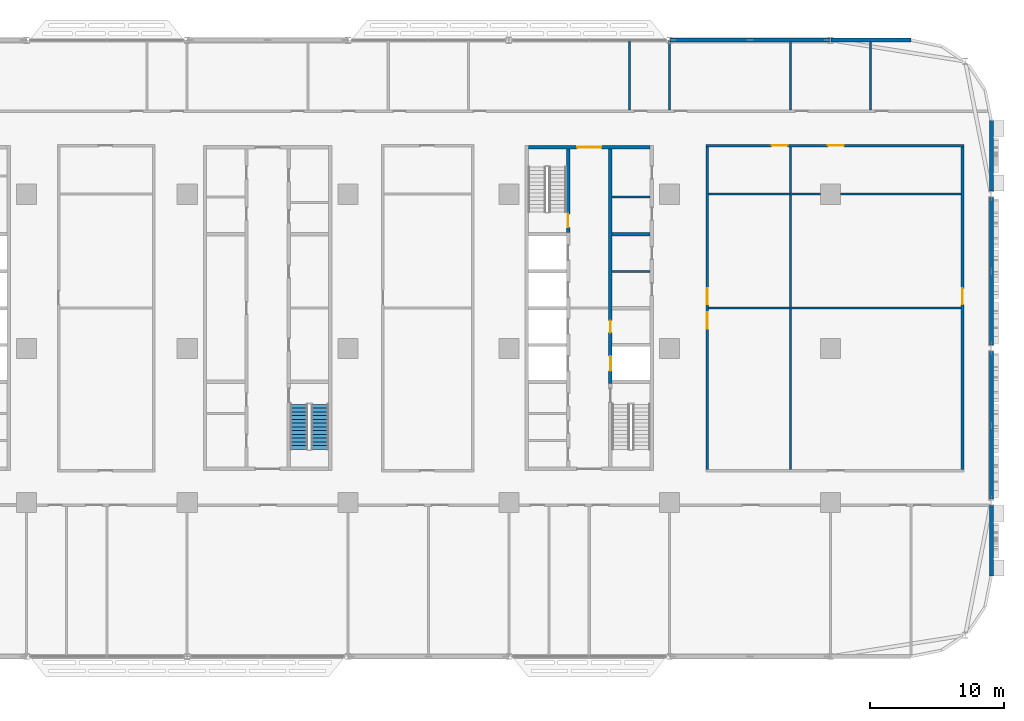
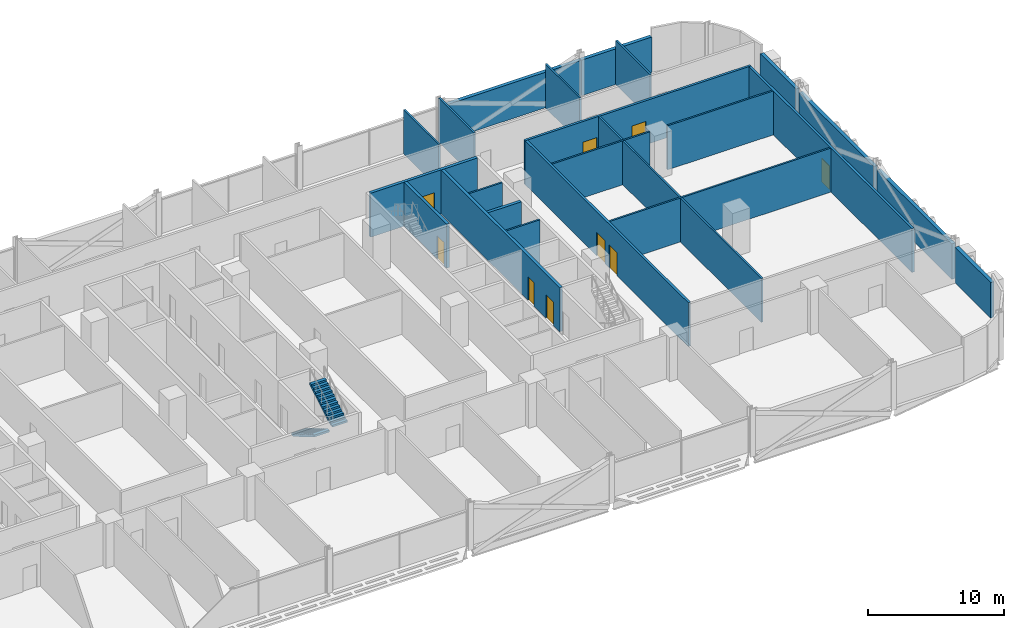
# One storey, part 17 of 29: 23 walls, 9 doors, 2 stair flights, 9 openings, 1 element without a shape of its own.
"""IFC4 building model written with IfcOpenShell, lengths in metres."""

from ifc_helpers import new_model, si_unit, direction, frame, frame_2d, origin, place, context, subcontext, project, spatial, polyline, rectangle, outline, extrude, material, layer, layer_set, type_object, element, fill, aggregate, save


model = new_model("IFC4")

# Units and contexts
model_context = context("Model", 3, precision=1e-05, world=origin(), true_north=direction((0.0, 1.0)))
body_context = subcontext(model_context, "Body", "Model", "MODEL_VIEW")
ifc_project = project(units=[si_unit("LENGTHUNIT", "METRE"), si_unit("AREAUNIT", "SQUARE_METRE"), si_unit("VOLUMEUNIT", "CUBIC_METRE"), si_unit("PLANEANGLEUNIT", "RADIAN"), si_unit("MASSUNIT", "GRAM", prefix="KILO")], contexts=[model_context])

# Site, building, storey
site_placement = place(None, origin())
site = spatial("IfcSite", under=ifc_project, at=site_placement, CompositionType="ELEMENT")
building_placement = place(site_placement, origin())
building = spatial("IfcBuilding", under=site, at=building_placement, Name="Mahtab Terrace Research Tower", CompositionType="ELEMENT")
storey_placement = place(building_placement, frame((0.0, 0.0, 54.60009765625)))
storey = spatial("IfcBuildingStorey", under=building, at=storey_placement, Name="L12", CompositionType="ELEMENT", Elevation=54.60009765625)

# Walls
ifc_material_1 = material(Name="Gypsum board partition")
ifc_layer_1 = layer(ifc_material_1, 0.14990234375)
ifc_layer_set_1 = layer_set([ifc_layer_1], Name="Core partition 150")
wall_type_1 = type_object("IfcWallType", Name="Core partition 150", PredefinedType="PARTITIONING", material=ifc_layer_set_1)
for number, where, z_axis, x_axis, name in (
    (1, (25.699951171875, 5.75, 0.0), (0.0, 0.0, 1.0), (1.0, 0.0, 0.0), "Core wall C pEL275"),
    (2, (25.699951171875, 11.27490234375, 0.0), (0.0, 0.0, 1.0), (1.0, 0.0, 0.0), "Core wall C pEN828"),
):
    element("IfcWall", number, at=place(storey_placement, frame(where, z_axis=z_axis, x_axis=x_axis)), inside=storey, type_object=wall_type_1, Name=name, PredefinedType="PARTITIONING", context=body_context, shape_type="SweptSolid", body=[
        extrude(rectangle(XDim=2.85009765625, YDim=0.14990234375, at=frame_2d((1.425048828125, 0.0))), origin(), (0.0, 0.0, 1.0), 3.9599609375),
    ])

# Wall, opening, door
ifc_material_2 = material(Name="Concrete C70/85", Category="concrete")
ifc_layer_2 = layer(ifc_material_2, 0.25)
ifc_layer_set_2 = layer_set([ifc_layer_2], Name="Core wall 250")
wall_type_2 = type_object("IfcWallType", Name="Core wall 250", PredefinedType="SOLIDWALL", material=ifc_layer_set_2)
wall_1_placement = place(storey_placement, frame((19.449951171875, 15.0, 0.0), z_axis=(0.0, 0.0, 1.0), x_axis=(1.0, 0.0, 0.0)))
wall_1 = element("IfcWall", 3, at=wall_1_placement, inside=storey, type_object=wall_type_2, Name="Core wall C endN", PredefinedType="SOLIDWALL", context=body_context, shape_type="SweptSolid", body=[
    extrude(rectangle(XDim=9.10009765625, YDim=0.25, at=frame_2d((4.550048828125, 0.0))), origin(), (0.0, 0.0, 1.0), 3.9599609375),
])
opening_1_placement = place(wall_1_placement, frame((3.64990234375, 0.0, 0.0)))
opening_1 = element("IfcOpeningElement", 4, at=opening_1_placement, cuts=wall_1, Name="Opening C-N1", PredefinedType="OPENING", context=body_context, shape_type="SweptSolid", body=[
    extrude(rectangle(XDim=1.800048828125, YDim=2.10009765625, at=frame_2d((0.89990234375, 1.050048828125))), frame((0.0, 0.135009765625, 0.0), z_axis=(0.0, -1.0, 0.0), x_axis=(1.0, 0.0, 0.0)), (0.0, 0.0, 1.0), 0.27001953125),
])
ifc_material_3 = material(Name="Steel fire door", Category="steel")
door_type_1 = type_object("IfcDoorType", Name="Lobby double door 1800x2100 1 HR", OperationType="DOUBLE_DOOR_SINGLE_SWING", PredefinedType="DOOR", material=ifc_material_3)
door_1_placement = place(opening_1_placement, origin())
door_1 = element("IfcDoor", 5, at=door_1_placement, inside=storey, type_object=door_type_1, Name="Core entrance door C N", OperationType="DOUBLE_DOOR_SINGLE_SWING", OverallHeight=2.10009765625, OverallWidth=1.800048828125, PredefinedType="DOOR", context=body_context, shape_type="SweptSolid", body=[
    extrude(rectangle(XDim=1.800048828125, YDim=2.10009765625, at=frame_2d((0.89990234375, 1.050048828125))), frame((0.0, 0.02490234375, 0.0), z_axis=(0.0, -1.0, 0.0), x_axis=(1.0, 0.0, 0.0)), (0.0, 0.0, 1.0), 0.050048828125),
])
fill(opening_1, door_1)

wall_2_placement = place(storey_placement, frame((22.425048828125, 14.875, 0.0), z_axis=(0.0, 0.0, 1.0), x_axis=(0.0, -1.0, 0.0)))
wall_2 = element("IfcWall", 6, at=wall_2_placement, inside=storey, type_object=wall_type_2, Name="Core wall C innerWN", PredefinedType="SOLIDWALL", context=body_context, shape_type="SweptSolid", body=[
    extrude(rectangle(XDim=6.25, YDim=0.25, at=frame_2d((3.125, 0.0))), origin(), (0.0, 0.0, 1.0), 3.9599609375),
])
opening_2_placement = place(wall_2_placement, frame((4.85009765625, 0.0, 0.0)))
opening_2 = element("IfcOpeningElement", 7, at=opening_2_placement, cuts=wall_2, Name="Opening C-ST3", PredefinedType="OPENING", context=body_context, shape_type="SweptSolid", body=[
    extrude(rectangle(XDim=1.0, YDim=2.10009765625, at=frame_2d((0.5, 1.050048828125))), frame((0.0, 0.135009765625, 0.0), z_axis=(0.0, -1.0, 0.0), x_axis=(1.0, 0.0, 0.0)), (0.0, 0.0, 1.0), 0.27001953125),
])
door_type_2 = type_object("IfcDoorType", Name="Stair door 1000x2100 1.5 HR", OperationType="NOTDEFINED", PredefinedType="DOOR", material=ifc_material_3)
door_2_placement = place(opening_2_placement, origin())
door_2 = element("IfcDoor", 8, at=door_2_placement, inside=storey, type_object=door_type_2, Name="Stair door ST3 L12", OperationType="SINGLE_SWING_LEFT", OverallHeight=2.10009765625, OverallWidth=1.0, PredefinedType="DOOR", context=body_context, shape_type="SweptSolid", body=[
    extrude(rectangle(XDim=1.0, YDim=2.10009765625, at=frame_2d((0.5, 1.050048828125))), frame((0.0, 0.02490234375, 0.0), z_axis=(0.0, -1.0, 0.0), x_axis=(1.0, 0.0, 0.0)), (0.0, 0.0, 1.0), 0.050048828125),
])
fill(opening_2, door_2)

# Wall, openings, doors
wall_3_placement = place(storey_placement, frame((25.574951171875, 14.875, 0.0), z_axis=(0.0, 0.0, 1.0), x_axis=(0.0, -1.0, 0.0)))
wall_3 = element("IfcWall", 9, at=wall_3_placement, inside=storey, type_object=wall_type_2, Name="Core wall C innerELN", PredefinedType="SOLIDWALL", context=body_context, shape_type="SweptSolid", body=[
    extrude(rectangle(XDim=17.5, YDim=0.25, at=frame_2d((8.75, 0.0))), origin(), (0.0, 0.0, 1.0), 3.9599609375),
])
opening_3_placement = place(wall_3_placement, frame((15.449951171875, 0.0, 0.0)))
opening_3 = element("IfcOpeningElement", 10, at=opening_3_placement, cuts=wall_3, Name="Opening LD21-L12", PredefinedType="OPENING", context=body_context, shape_type="SweptSolid", body=[
    extrude(rectangle(XDim=1.10009765625, YDim=2.10009765625, at=frame_2d((0.550048828125, 1.050048828125))), frame((0.0, 0.135009765625, 0.0), z_axis=(0.0, -1.0, 0.0), x_axis=(1.0, 0.0, 0.0)), (0.0, 0.0, 1.0), 0.27001953125),
])
opening_4_placement = place(wall_3_placement, frame((12.800048828125, 0.0, 0.0)))
opening_4 = element("IfcOpeningElement", 11, at=opening_4_placement, cuts=wall_3, Name="Opening C-R1", PredefinedType="OPENING", context=body_context, shape_type="SweptSolid", body=[
    extrude(rectangle(XDim=0.89990234375, YDim=2.10009765625, at=frame_2d((0.449951171875, 1.050048828125))), frame((0.0, 0.135009765625, 0.0), z_axis=(0.0, -1.0, 0.0), x_axis=(1.0, 0.0, 0.0)), (0.0, 0.0, 1.0), 0.27001953125),
])
ifc_material_4 = material(Name="Stainless steel AISI 304", Category="steel")
door_type_3 = type_object("IfcDoorType", Name="Landing door 1100x2100", OperationType="DOUBLE_DOOR_SLIDING", PredefinedType="DOOR", material=ifc_material_4)
door_3_placement = place(opening_3_placement, origin())
door_3 = element("IfcDoor", 12, at=door_3_placement, inside=storey, type_object=door_type_3, Name="Landing door SV3 L12", OperationType="DOUBLE_DOOR_SLIDING", OverallHeight=2.10009765625, OverallWidth=1.10009765625, PredefinedType="DOOR", context=body_context, shape_type="SweptSolid", body=[
    extrude(rectangle(XDim=1.10009765625, YDim=2.10009765625, at=frame_2d((0.550048828125, 1.050048828125))), frame((0.0, 0.02490234375, 0.0), z_axis=(0.0, -1.0, 0.0), x_axis=(1.0, 0.0, 0.0)), (0.0, 0.0, 1.0), 0.050048828125),
])
fill(opening_3, door_3)
door_type_4 = type_object("IfcDoorType", Name="Room door 900x2100 1 HR", OperationType="NOTDEFINED", PredefinedType="DOOR", material=ifc_material_3)
door_4_placement = place(opening_4_placement, origin())
door_4 = element("IfcDoor", 13, at=door_4_placement, inside=storey, type_object=door_type_4, Name="Plant room door", OperationType="SINGLE_SWING_LEFT", OverallHeight=2.10009765625, OverallWidth=0.89990234375, PredefinedType="DOOR", context=body_context, shape_type="SweptSolid", body=[
    extrude(rectangle(XDim=0.89990234375, YDim=2.10009765625, at=frame_2d((0.449951171875, 1.050048828125))), frame((0.0, 0.02490234375, 0.0), z_axis=(0.0, -1.0, 0.0), x_axis=(1.0, 0.0, 0.0)), (0.0, 0.0, 1.0), 0.050048828125),
])
fill(opening_4, door_4)

# Walls
wall_4_placement = place(storey_placement, frame((25.699951171875, 8.5, 0.0), z_axis=(0.0, 0.0, 1.0), x_axis=(1.0, 0.0, 0.0)))
element("IfcWall", 14, at=wall_4_placement, inside=storey, type_object=wall_type_2, Name="Core wall C divE4", PredefinedType="SOLIDWALL", context=body_context, shape_type="SweptSolid", body=[
    extrude(rectangle(XDim=2.85009765625, YDim=0.25, at=frame_2d((1.425048828125, 0.0))), origin(), (0.0, 0.0, 1.0), 3.9599609375),
])
ifc_material_5 = material(Name="Black aluminium cladding panel", Category="aluminium")
ifc_layer_3 = layer(ifc_material_5, 0.300048828125)
ifc_layer_set_3 = layer_set([ifc_layer_3], Name="Opaque facade wall 300")
wall_type_3 = type_object("IfcWallType", Name="Opaque facade wall 300", PredefinedType="NOTDEFINED", material=ifc_layer_set_3)
wall_5_placement = place(storey_placement, frame((48.0, 23.0, 0.0), z_axis=(0.0, 0.0, 1.0), x_axis=(-1.0, 0.0, 0.0)))
element("IfcWall", 15, at=wall_5_placement, inside=storey, type_object=wall_type_3, Name="Opaque facade wall L12 N3", PredefinedType="NOTDEFINED", context=body_context, shape_type="SweptSolid", body=[
    extrude(rectangle(XDim=5.97607421875, YDim=0.300048828125, at=frame_2d((2.988037109375, 0.0))), origin(), (0.0, 0.0, 1.0), 3.202880859375),
])
wall_6_placement = place(storey_placement, frame((41.97607421875, 23.0, 0.0), z_axis=(0.0, 0.0, 1.0), x_axis=(-1.0, 0.0, 0.0)))
element("IfcWall", 16, at=wall_6_placement, inside=storey, type_object=wall_type_3, Name="Opaque facade wall L12 N4", PredefinedType="NOTDEFINED", context=body_context, shape_type="SweptSolid", body=[
    extrude(rectangle(XDim=11.9521484375, YDim=0.300048828125, at=frame_2d((5.97607421875, 0.0))), origin(), (0.0, 0.0, 1.0), 3.202880859375),
])
wall_7_placement = place(storey_placement, frame((54.0, -17.0, 0.0), z_axis=(0.0, 0.0, 1.0), x_axis=(0.0, 1.0, 0.0)))
element("IfcWall", 17, at=wall_7_placement, inside=storey, type_object=wall_type_3, Name="Opaque facade wall L12 E35", PredefinedType="NOTDEFINED", context=body_context, shape_type="SweptSolid", body=[
    extrude(rectangle(XDim=5.261962890625, YDim=0.300048828125, at=frame_2d((2.630859375, 0.0))), origin(), (0.0, 0.0, 1.0), 3.202880859375),
])
for number, where, z_axis, x_axis, name in (
    (18, (54.0, -11.261962890625, 0.0), (0.0, 0.0, 1.0), (0.0, 1.0, 0.0), "Opaque facade wall L12 E36"),
    (19, (54.0, 0.238037109375, 0.0), (0.0, 0.0, 1.0), (0.0, 1.0, 0.0), "Opaque facade wall L12 E37"),
):
    element("IfcWall", number, at=place(storey_placement, frame(where, z_axis=z_axis, x_axis=x_axis)), inside=storey, type_object=wall_type_3, Name=name, PredefinedType="NOTDEFINED", context=body_context, shape_type="SweptSolid", body=[
        extrude(rectangle(XDim=11.02392578125, YDim=0.300048828125, at=frame_2d((5.511962890625, 0.0))), origin(), (0.0, 0.0, 1.0), 3.202880859375),
    ])
wall_8_placement = place(storey_placement, frame((54.0, 11.738037109375, 0.0), z_axis=(0.0, 0.0, 1.0), x_axis=(0.0, 1.0, 0.0)))
element("IfcWall", 20, at=wall_8_placement, inside=storey, type_object=wall_type_3, Name="Opaque facade wall L12 E38", PredefinedType="NOTDEFINED", context=body_context, shape_type="SweptSolid", body=[
    extrude(rectangle(XDim=5.261962890625, YDim=0.300048828125, at=frame_2d((2.630859375, 0.0))), origin(), (0.0, 0.0, 1.0), 3.202880859375),
])

# Wall, openings, doors
ifc_material_6 = material(Name="Gypsum board corridor wall on steel studs", Category="steel")
ifc_layer_4 = layer(ifc_material_6, 0.199951171875)
ifc_layer_set_4 = layer_set([ifc_layer_4], Name="WALL CORRIDOR 200")
wall_type_4 = type_object("IfcWallType", Name="WALL CORRIDOR 200", PredefinedType="PARTITIONING", material=ifc_layer_set_4)
wall_9_placement = place(storey_placement, frame((32.699951171875, 15.125, 0.0), z_axis=(0.0, 0.0, 1.0), x_axis=(1.0, 0.0, 0.0)))
wall_9 = element("IfcWall", 21, at=wall_9_placement, inside=storey, type_object=wall_type_4, Name="L12-W025", PredefinedType="PARTITIONING", context=body_context, shape_type="SweptSolid", body=[
    extrude(rectangle(XDim=19.25, YDim=0.199951171875, at=frame_2d((9.625, 0.0))), origin(), (0.0, 0.0, 1.0), 3.9599609375),
])
opening_5_placement = place(wall_9_placement, frame((4.89990234375, 0.0, 0.0)))
opening_5 = element("IfcOpeningElement", 22, at=opening_5_placement, cuts=wall_9, Name="Opening L12-129", PredefinedType="OPENING", context=body_context, shape_type="SweptSolid", body=[
    extrude(rectangle(XDim=1.199951171875, YDim=2.10009765625, at=frame_2d((0.60009765625, 1.050048828125))), frame((0.0, 0.10986328125, 0.0), z_axis=(0.0, -1.0, 0.0), x_axis=(1.0, 0.0, 0.0)), (0.0, 0.0, 1.0), 0.219970703125),
])
opening_6_placement = place(wall_9_placement, frame((9.10009765625, 0.0, 0.0)))
opening_6 = element("IfcOpeningElement", 23, at=opening_6_placement, cuts=wall_9, Name="Opening L12-130", PredefinedType="OPENING", context=body_context, shape_type="SweptSolid", body=[
    extrude(rectangle(XDim=1.199951171875, YDim=2.10009765625, at=frame_2d((0.60009765625, 1.050048828125))), frame((0.0, 0.10986328125, 0.0), z_axis=(0.0, -1.0, 0.0), x_axis=(1.0, 0.0, 0.0)), (0.0, 0.0, 1.0), 0.219970703125),
])
ifc_material_7 = material(Name="Timber door leaf in steel frame", Category="steel")
door_type_5 = type_object("IfcDoorType", Name="DOOR 1200X2100 FD30S", OperationType="SINGLE_SWING_LEFT", PredefinedType="DOOR", material=ifc_material_7)
door_5_placement = place(opening_5_placement, origin())
door_5 = element("IfcDoor", 24, at=door_5_placement, inside=storey, type_object=door_type_5, Name="Door L12-129", OperationType="SINGLE_SWING_RIGHT", OverallHeight=2.10009765625, OverallWidth=1.199951171875, PredefinedType="DOOR", context=body_context, shape_type="SweptSolid", body=[
    extrude(rectangle(XDim=1.199951171875, YDim=2.10009765625, at=frame_2d((0.60009765625, 1.050048828125))), frame((0.0, 0.02490234375, 0.0), z_axis=(0.0, -1.0, 0.0), x_axis=(1.0, 0.0, 0.0)), (0.0, 0.0, 1.0), 0.050048828125),
])
fill(opening_5, door_5)
door_6_placement = place(opening_6_placement, origin())
door_6 = element("IfcDoor", 25, at=door_6_placement, inside=storey, type_object=door_type_5, Name="Door L12-130", OperationType="SINGLE_SWING_LEFT", OverallHeight=2.10009765625, OverallWidth=1.199951171875, PredefinedType="DOOR", context=body_context, shape_type="SweptSolid", body=[
    extrude(rectangle(XDim=1.199951171875, YDim=2.10009765625, at=frame_2d((0.60009765625, 1.050048828125))), frame((0.0, 0.02490234375, 0.0), z_axis=(0.0, -1.0, 0.0), x_axis=(1.0, 0.0, 0.0)), (0.0, 0.0, 1.0), 0.050048828125),
])
fill(opening_6, door_6)

wall_10_placement = place(storey_placement, frame((32.800048828125, -9.02490234375, 0.0), z_axis=(0.0, 0.0, 1.0), x_axis=(0.0, 1.0, 0.0)))
wall_10 = element("IfcWall", 26, at=wall_10_placement, inside=storey, type_object=wall_type_4, Name="L12-W055", PredefinedType="PARTITIONING", context=body_context, shape_type="SweptSolid", body=[
    extrude(rectangle(XDim=24.0498046875, YDim=0.199951171875, at=frame_2d((12.02490234375, 0.0))), origin(), (0.0, 0.0, 1.0), 3.9599609375),
])
opening_7_placement = place(wall_10_placement, frame((10.5, 0.0, 0.0)))
opening_7 = element("IfcOpeningElement", 27, at=opening_7_placement, cuts=wall_10, Name="Opening L12-119", PredefinedType="OPENING", context=body_context, shape_type="SweptSolid", body=[
    extrude(rectangle(XDim=1.199951171875, YDim=2.10009765625, at=frame_2d((0.60009765625, 1.050048828125))), frame((0.0, 0.10986328125, 0.0), z_axis=(0.0, -1.0, 0.0), x_axis=(1.0, 0.0, 0.0)), (0.0, 0.0, 1.0), 0.219970703125),
])
opening_8_placement = place(wall_10_placement, frame((12.300048828125, 0.0, 0.0)))
opening_8 = element("IfcOpeningElement", 28, at=opening_8_placement, cuts=wall_10, Name="Opening L12-124", PredefinedType="OPENING", context=body_context, shape_type="SweptSolid", body=[
    extrude(rectangle(XDim=1.199951171875, YDim=2.10009765625, at=frame_2d((0.60009765625, 1.050048828125))), frame((0.0, 0.10986328125, 0.0), z_axis=(0.0, -1.0, 0.0), x_axis=(1.0, 0.0, 0.0)), (0.0, 0.0, 1.0), 0.219970703125),
])
door_7_placement = place(opening_7_placement, origin())
door_7 = element("IfcDoor", 29, at=door_7_placement, inside=storey, type_object=door_type_5, Name="Door L12-119", OperationType="SINGLE_SWING_RIGHT", OverallHeight=2.10009765625, OverallWidth=1.199951171875, PredefinedType="DOOR", context=body_context, shape_type="SweptSolid", body=[
    extrude(rectangle(XDim=1.199951171875, YDim=2.10009765625, at=frame_2d((0.60009765625, 1.050048828125))), frame((0.0, 0.02490234375, 0.0), z_axis=(0.0, -1.0, 0.0), x_axis=(1.0, 0.0, 0.0)), (0.0, 0.0, 1.0), 0.050048828125),
])
fill(opening_7, door_7)
door_8_placement = place(opening_8_placement, origin())
door_8 = element("IfcDoor", 30, at=door_8_placement, inside=storey, type_object=door_type_5, Name="Door L12-124", OperationType="SINGLE_SWING_LEFT", OverallHeight=2.10009765625, OverallWidth=1.199951171875, PredefinedType="DOOR", context=body_context, shape_type="SweptSolid", body=[
    extrude(rectangle(XDim=1.199951171875, YDim=2.10009765625, at=frame_2d((0.60009765625, 1.050048828125))), frame((0.0, 0.02490234375, 0.0), z_axis=(0.0, -1.0, 0.0), x_axis=(1.0, 0.0, 0.0)), (0.0, 0.0, 1.0), 0.050048828125),
])
fill(opening_8, door_8)

# Wall, opening, door
wall_11_placement = place(storey_placement, frame((51.85009765625, -9.02490234375, 0.0), z_axis=(0.0, 0.0, 1.0), x_axis=(0.0, 1.0, 0.0)))
wall_11 = element("IfcWall", 31, at=wall_11_placement, inside=storey, type_object=wall_type_4, Name="L12-W061", PredefinedType="PARTITIONING", context=body_context, shape_type="SweptSolid", body=[
    extrude(rectangle(XDim=24.0498046875, YDim=0.199951171875, at=frame_2d((12.02490234375, 0.0))), origin(), (0.0, 0.0, 1.0), 3.9599609375),
])
opening_9_placement = place(wall_11_placement, frame((12.300048828125, 0.0, 0.0)))
opening_9 = element("IfcOpeningElement", 32, at=opening_9_placement, cuts=wall_11, Name="Opening L12-125", PredefinedType="OPENING", context=body_context, shape_type="SweptSolid", body=[
    extrude(rectangle(XDim=1.199951171875, YDim=2.10009765625, at=frame_2d((0.60009765625, 1.050048828125))), frame((0.0, 0.10986328125, 0.0), z_axis=(0.0, -1.0, 0.0), x_axis=(1.0, 0.0, 0.0)), (0.0, 0.0, 1.0), 0.219970703125),
])
door_9_placement = place(opening_9_placement, origin())
door_9 = element("IfcDoor", 33, at=door_9_placement, inside=storey, type_object=door_type_5, Name="Door L12-125", OperationType="SINGLE_SWING_RIGHT", OverallHeight=2.10009765625, OverallWidth=1.199951171875, PredefinedType="DOOR", context=body_context, shape_type="SweptSolid", body=[
    extrude(rectangle(XDim=1.199951171875, YDim=2.10009765625, at=frame_2d((0.60009765625, 1.050048828125))), frame((0.0, 0.02490234375, 0.0), z_axis=(0.0, -1.0, 0.0), x_axis=(1.0, 0.0, 0.0)), (0.0, 0.0, 1.0), 0.050048828125),
])
fill(opening_9, door_9)

# Walls
ifc_material_8 = material(Name="Gypsum board partition on steel studs", Category="steel")
ifc_layer_5 = layer(ifc_material_8, 0.14990234375)
ifc_layer_set_5 = layer_set([ifc_layer_5], Name="WALL PARTITION 150")
wall_type_5 = type_object("IfcWallType", Name="WALL PARTITION 150", PredefinedType="PARTITIONING", material=ifc_layer_set_5)
wall_12_placement = place(storey_placement, frame((32.89990234375, 3.0, 0.0), z_axis=(0.0, 0.0, 1.0), x_axis=(1.0, 0.0, 0.0)))
element("IfcWall", 34, at=wall_12_placement, inside=storey, type_object=wall_type_5, Name="L12-W016", PredefinedType="PARTITIONING", context=body_context, shape_type="SweptSolid", body=[
    extrude(rectangle(XDim=18.85009765625, YDim=0.14990234375, at=frame_2d((9.425048828125, 0.0))), origin(), (0.0, 0.0, 1.0), 3.9599609375),
])
wall_13_placement = place(storey_placement, frame((32.89990234375, 11.5, 0.0), z_axis=(0.0, 0.0, 1.0), x_axis=(1.0, 0.0, 0.0)))
element("IfcWall", 35, at=wall_13_placement, inside=storey, type_object=wall_type_5, Name="L12-W020", PredefinedType="PARTITIONING", context=body_context, shape_type="SweptSolid", body=[
    extrude(rectangle(XDim=8.35009765625, YDim=0.14990234375, at=frame_2d((4.175048828125, 0.0))), origin(), (0.0, 0.0, 1.0), 3.9599609375),
])
wall_14_placement = place(storey_placement, frame((42.75, 11.5, 0.0), z_axis=(0.0, 0.0, 1.0), x_axis=(1.0, 0.0, 0.0)))
element("IfcWall", 36, at=wall_14_placement, inside=storey, type_object=wall_type_5, Name="L12-W021", PredefinedType="PARTITIONING", context=body_context, shape_type="SweptSolid", body=[
    extrude(rectangle(XDim=9.0, YDim=0.14990234375, at=frame_2d((4.5, 0.0))), origin(), (0.0, 0.0, 1.0), 3.9599609375),
])
for number, where, z_axis, x_axis, name in (
    (37, (27.0, 17.800048828125, 0.0), (0.0, 0.0, 1.0), (0.0, 1.0, 0.0), "L12-W052"),
    (38, (30.0, 17.800048828125, 0.0), (0.0, 0.0, 1.0), (0.0, 1.0, 0.0), "L12-W054"),
):
    element("IfcWall", number, at=place(storey_placement, frame(where, z_axis=z_axis, x_axis=x_axis)), inside=storey, type_object=wall_type_5, Name=name, PredefinedType="PARTITIONING", context=body_context, shape_type="SweptSolid", body=[
        extrude(rectangle(XDim=5.175048828125, YDim=0.14990234375, at=frame_2d((2.58740234375, 0.0))), origin(), (0.0, 0.0, 1.0), 3.9599609375),
    ])
wall_15_placement = place(storey_placement, frame((39.0, -9.02490234375, 0.0), z_axis=(0.0, 0.0, 1.0), x_axis=(0.0, 1.0, 0.0)))
element("IfcWall", 39, at=wall_15_placement, inside=storey, type_object=wall_type_5, Name="L12-W056", PredefinedType="PARTITIONING", context=body_context, shape_type="SweptSolid", body=[
    extrude(rectangle(XDim=24.0498046875, YDim=0.14990234375, at=frame_2d((12.02490234375, 0.0))), origin(), (0.0, 0.0, 1.0), 3.9599609375),
])
for number, where, z_axis, x_axis, name in (
    (40, (39.0, 17.800048828125, 0.0), (0.0, 0.0, 1.0), (0.0, 1.0, 0.0), "L12-W057"),
    (41, (45.0, 17.800048828125, 0.0), (0.0, 0.0, 1.0), (0.0, 1.0, 0.0), "L12-W059"),
):
    element("IfcWall", number, at=place(storey_placement, frame(where, z_axis=z_axis, x_axis=x_axis)), inside=storey, type_object=wall_type_5, Name=name, PredefinedType="PARTITIONING", context=body_context, shape_type="SweptSolid", body=[
        extrude(rectangle(XDim=5.050048828125, YDim=0.14990234375, at=frame_2d((2.52490234375, 0.0))), origin(), (0.0, 0.0, 1.0), 3.9599609375),
    ])

# Stair, stair flights
ifc_material_9 = material(Name="Exit stair half-turn")
stair_type = type_object("IfcStairType", Name="Exit stair half-turn", PredefinedType="HALF_TURN_STAIR", material=ifc_material_9)
stair_placement = place(storey_placement, origin())
stair = element("IfcStair", 42, at=stair_placement, inside=storey, type_object=stair_type, Name="L12 Protected exit stair ST2", PredefinedType="HALF_TURN_STAIR")
ifc_material_10 = material(Name="Concrete C40/50", Category="concrete")
stair_flight_type = type_object("IfcStairFlightType", Name="Exit stair flight 1300", PredefinedType="STRAIGHT", material=ifc_material_10)
stair_flight_1_placement = place(storey_placement, frame((2.35009765625, -4.175048828125, 0.0), z_axis=(0.0, 0.0, 1.0), x_axis=(0.0, -1.0, 0.0)))
stair_flight_1 = element("IfcStairFlight", 43, at=stair_flight_1_placement, type_object=stair_flight_type, Name="ST2 flight 1", NumberOfRisers=13, NumberOfTreads=12, PredefinedType="STRAIGHT", RiserHeight=0.165384615, TreadLength=0.28, context=body_context, shape_type="SweptSolid", body=[
    extrude(outline(polyline([(0.0, 0.0), (0.0, 0.165283203125), (0.280029296875, 0.165283203125), (0.280029296875, 0.330810546875), (0.56005859375, 0.330810546875), (0.56005859375, 0.49609375), (0.840087890625, 0.49609375), (0.840087890625, 0.66162109375), (1.1201171875, 0.66162109375), (1.1201171875, 0.826904296875), (1.39990234375, 0.826904296875), (1.39990234375, 0.9921875), (1.679931640625, 0.9921875), (1.679931640625, 1.15771484375), (1.9599609375, 1.15771484375), (1.9599609375, 1.322998046875), (2.239990234375, 1.322998046875), (2.239990234375, 1.488525390625), (2.52001953125, 1.488525390625), (2.52001953125, 1.65380859375), (2.800048828125, 1.65380859375), (2.800048828125, 1.8193359375), (3.080078125, 1.8193359375), (3.080078125, 1.984619140625), (3.360107421875, 1.984619140625), (3.360107421875, 2.14990234375), (3.360107421875, 1.810546875), (0.294677734375, 0.0), (0.0, 0.0)])), frame((0.0, 0.64990234375, 0.0), z_axis=(0.0, -1.0, 0.0), x_axis=(1.0, 0.0, 0.0)), (0.0, 0.0, 1.0), 1.300048828125),
])
stair_flight_2_placement = place(storey_placement, frame((3.89990234375, -7.534912109375, 2.14990234375), z_axis=(0.0, 0.0, 1.0), x_axis=(0.0, 1.0, 0.0)))
stair_flight_2 = element("IfcStairFlight", 44, at=stair_flight_2_placement, type_object=stair_flight_type, Name="ST2 flight 2", NumberOfRisers=13, NumberOfTreads=12, PredefinedType="STRAIGHT", RiserHeight=0.165384615, TreadLength=0.28, context=body_context, shape_type="SweptSolid", body=[
    extrude(outline(polyline([(0.0, 0.0), (0.0, 0.165283203125), (0.280029296875, 0.165283203125), (0.280029296875, 0.330810546875), (0.56005859375, 0.330810546875), (0.56005859375, 0.49609375), (0.840087890625, 0.49609375), (0.840087890625, 0.66162109375), (1.1201171875, 0.66162109375), (1.1201171875, 0.826904296875), (1.39990234375, 0.826904296875), (1.39990234375, 0.9921875), (1.679931640625, 0.9921875), (1.679931640625, 1.15771484375), (1.9599609375, 1.15771484375), (1.9599609375, 1.322998046875), (2.239990234375, 1.322998046875), (2.239990234375, 1.488525390625), (2.52001953125, 1.488525390625), (2.52001953125, 1.65380859375), (2.800048828125, 1.65380859375), (2.800048828125, 1.8193359375), (3.080078125, 1.8193359375), (3.080078125, 1.984619140625), (3.360107421875, 1.984619140625), (3.360107421875, 2.14990234375), (3.360107421875, 1.810546875), (0.294677734375, 0.0), (0.0, 0.0)])), frame((0.0, 0.64990234375, 0.0), z_axis=(0.0, -1.0, 0.0), x_axis=(1.0, 0.0, 0.0)), (0.0, 0.0, 1.0), 1.300048828125),
])
aggregate(stair, [stair_flight_1, stair_flight_2])

save(model, "model.ifc")
